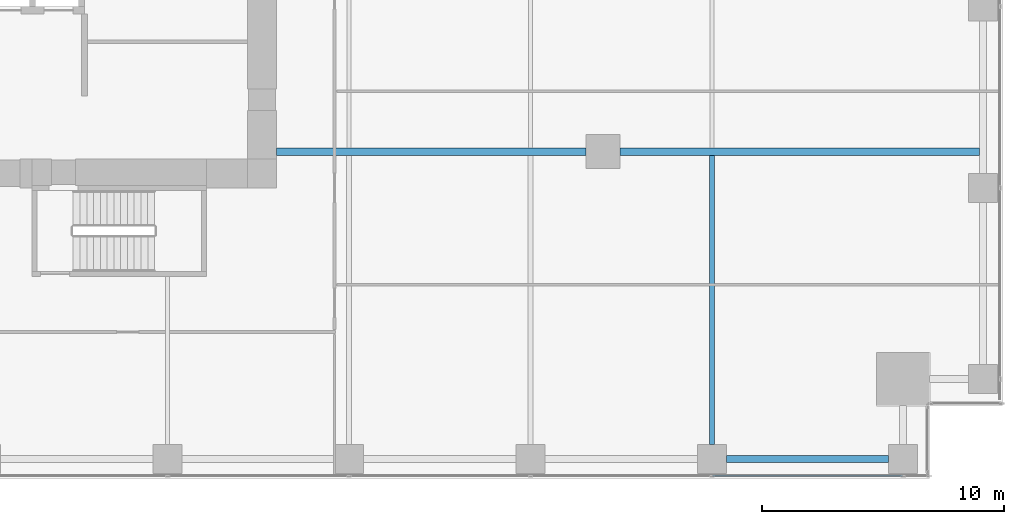
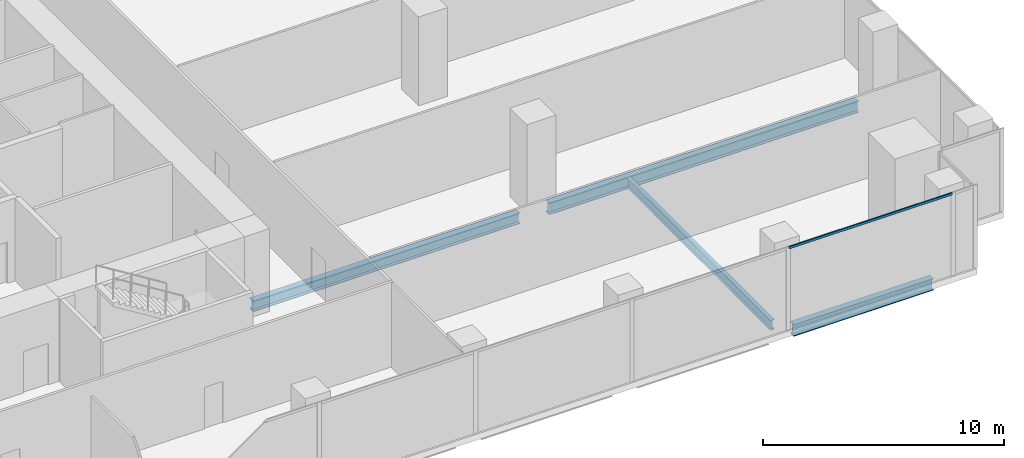
# One storey, part 8 of 33: 4 beams, 1 member, 1 element without a shape of its own.
"""IFC4 building model written with IfcOpenShell, lengths in metres."""

from ifc_helpers import new_model, si_unit, direction, frame, origin, origin_2d, place, context, subcontext, project, spatial, hollow_rectangle, i_section, extrude, source, transform, mapped, material, material_profile, profile_set, type_object, element, aggregate, save


model = new_model("IFC4")

# Units and contexts
model_context = context("Model", 3, precision=1e-05, world=origin(), true_north=direction((0.0, 1.0)))
body_context = subcontext(model_context, "Body", "Model", "MODEL_VIEW")
ifc_project = project(units=[si_unit("LENGTHUNIT", "METRE"), si_unit("AREAUNIT", "SQUARE_METRE"), si_unit("VOLUMEUNIT", "CUBIC_METRE"), si_unit("PLANEANGLEUNIT", "RADIAN"), si_unit("MASSUNIT", "GRAM", prefix="KILO")], contexts=[model_context])

# Site, building, storey
site_placement = place(None, origin())
site = spatial("IfcSite", under=ifc_project, at=site_placement, CompositionType="ELEMENT")
building_placement = place(site_placement, origin())
building = spatial("IfcBuilding", under=site, at=building_placement, Name="Khomas Fold Tower", CompositionType="ELEMENT")
storey_placement = place(building_placement, frame((0.0, 0.0, 91.5)))
storey = spatial("IfcBuildingStorey", under=building, at=storey_placement, Name="L19", CompositionType="ELEMENT", Elevation=91.5)

# Beams
ifc_material_1 = material(Name="Steel S355", Category="steel")
ifc_material_profile_1 = material_profile(ifc_material_1, i_section(OverallWidth=0.300048828125, OverallDepth=0.550048828125, WebThickness=0.014892578125, FlangeThickness=0.029052734375, at=origin_2d()), Name="HE 550 B")
ifc_profile_set_1 = profile_set([ifc_material_profile_1], Name="Steel S355")
beam_type_1 = type_object("IfcBeamType", Name="HE 550 B beam GB4", PredefinedType="BEAM", material=ifc_profile_set_1)
shared_shape_1 = source(origin(), body_context, "Body", "SweptSolid", [
    extrude(i_section(OverallWidth=0.300048828125, OverallDepth=0.550048828125, WebThickness=0.014892578125, FlangeThickness=0.029052734375, at=origin_2d()), origin(), (0.0, 0.0, 1.0), 12.800048828125),
])
beam_1_placement = place(storey_placement, frame((24.0, 13.5, -0.574951171875), z_axis=(1.0, 0.0, 0.0), x_axis=(0.0, 1.0, 0.0)))
element("IfcBeam", 1, at=beam_1_placement, inside=storey, type_object=beam_type_1, Name="GB4", PredefinedType="BEAM", context=body_context, shape_type="MappedRepresentation", body=[
    mapped(shared_shape_1, transform((0.0, 0.0, 0.0))),
])
ifc_material_2 = material(Name="Steel S355", Category="steel")
ifc_material_profile_2 = material_profile(ifc_material_2, i_section(OverallWidth=0.300048828125, OverallDepth=0.60009765625, WebThickness=0.015380859375, FlangeThickness=0.030029296875, at=origin_2d()), Name="HE 600 B")
ifc_profile_set_2 = profile_set([ifc_material_profile_2], Name="Steel S355")
beam_type_2 = type_object("IfcBeamType", Name="HE 600 B spandrel SB1", PredefinedType="SPANDREL", material=ifc_profile_set_2)
shared_shape_2 = source(origin(), body_context, "Body", "SweptSolid", [
    extrude(i_section(OverallWidth=0.300048828125, OverallDepth=0.60009765625, WebThickness=0.015380859375, FlangeThickness=0.030029296875, at=origin_2d()), origin(), (0.0, 0.0, 1.0), 6.699951171875),
])
beam_2_placement = place(storey_placement, frame((42.60009765625, 0.800048828125, -0.60009765625), z_axis=(1.0, 0.0, 0.0), x_axis=(0.0, 1.0, 0.0)))
element("IfcBeam", 2, at=beam_2_placement, inside=storey, type_object=beam_type_2, Name="SB1", PredefinedType="SPANDREL", context=body_context, shape_type="MappedRepresentation", body=[
    mapped(shared_shape_2, transform((0.0, 0.0, 0.0))),
])
ifc_material_3 = material(Name="Steel S355", Category="steel")
ifc_material_profile_3 = material_profile(ifc_material_3, i_section(OverallWidth=0.300048828125, OverallDepth=0.60009765625, WebThickness=0.015380859375, FlangeThickness=0.030029296875, at=origin_2d()), Name="HE 600 B")
ifc_profile_set_3 = profile_set([ifc_material_profile_3], Name="Steel S355")
beam_type_3 = type_object("IfcBeamType", Name="HE 600 B beam GB5", PredefinedType="BEAM", material=ifc_profile_set_3)
shared_shape_3 = source(origin(), body_context, "Body", "SweptSolid", [
    extrude(i_section(OverallWidth=0.300048828125, OverallDepth=0.60009765625, WebThickness=0.015380859375, FlangeThickness=0.030029296875, at=origin_2d()), origin(), (0.0, 0.0, 1.0), 14.85009765625),
])
beam_3_placement = place(storey_placement, frame((38.199951171875, 13.5, -0.60009765625), z_axis=(1.0, 0.0, 0.0), x_axis=(0.0, 1.0, 0.0)))
element("IfcBeam", 3, at=beam_3_placement, inside=storey, type_object=beam_type_3, Name="GB5", PredefinedType="BEAM", context=body_context, shape_type="MappedRepresentation", body=[
    mapped(shared_shape_3, transform((0.0, 0.0, 0.0))),
])
ifc_material_4 = material(Name="Steel S355", Category="steel")
ifc_material_profile_4 = material_profile(ifc_material_4, i_section(OverallWidth=0.199951171875, OverallDepth=0.5, WebThickness=0.01025390625, FlangeThickness=0.01611328125, at=origin_2d()), Name="IPE 500")
ifc_profile_set_4 = profile_set([ifc_material_profile_4], Name="Steel S355")
beam_type_4 = type_object("IfcBeamType", Name="IPE 500 beam JB5", PredefinedType="BEAM", material=ifc_profile_set_4)
shared_shape_4 = source(origin(), body_context, "Body", "SweptSolid", [
    extrude(i_section(OverallWidth=0.199951171875, OverallDepth=0.5, WebThickness=0.01025390625, FlangeThickness=0.01611328125, at=origin_2d()), origin(), (0.0, 0.0, 1.0), 11.9501953125),
])
beam_4_placement = place(storey_placement, frame((42.0, 1.39990234375, -0.550048828125), z_axis=(0.0, 1.0, 0.0), x_axis=(-1.0, 0.0, 0.0)))
element("IfcBeam", 4, at=beam_4_placement, inside=storey, type_object=beam_type_4, Name="JB5", PredefinedType="BEAM", context=body_context, shape_type="MappedRepresentation", body=[
    mapped(shared_shape_4, transform((0.0, 0.0, 0.0))),
])

# Curtain wall, member
ifc_material_5 = material(Name="Aluminium framed double glazing", Category="aluminium")
curtain_wall_type = type_object("IfcCurtainWallType", Name="SK-Unitised clear-glass wall, growing floors CW1", PredefinedType="NOTDEFINED", material=ifc_material_5)
curtain_wall_placement = place(storey_placement, origin())
curtain_wall = element("IfcCurtainWall", 5, at=curtain_wall_placement, inside=storey, type_object=curtain_wall_type, Name="CW1 run L19 00-0", PredefinedType="NOTDEFINED")
ifc_material_6 = material(Name="Aluminium", Category="aluminium")
ifc_material_profile_5 = material_profile(ifc_material_6, hollow_rectangle(XDim=0.06005859375, YDim=0.1201171875, WallThickness=0.00390625, at=origin_2d()), Name="SK-Unitised clear-glass wall, growing floors transom CW1-T")
ifc_profile_set_5 = profile_set([ifc_material_profile_5], Name="Aluminium")
member_type = type_object("IfcMemberType", Name="SK-Unitised clear-glass wall, growing floors transom CW1-T", PredefinedType="USERDEFINED", material=ifc_profile_set_5)
shared_shape_5 = source(origin(), body_context, "Body", "SweptSolid", [
    extrude(hollow_rectangle(XDim=0.06005859375, YDim=0.1201171875, WallThickness=0.00390625, at=origin_2d()), origin(), (0.0, 0.0, 1.0), 7.840087890625),
])
member_placement = place(storey_placement, frame((42.030029296875, 0.10009765625, 4.139892578125), z_axis=(1.0, 0.0, 0.0), x_axis=(0.0, 1.0, 0.0)))
member = element("IfcMember", 6, at=member_placement, type_object=member_type, Name="CW1 transom 7", ObjectType="TRANSOM", PredefinedType="USERDEFINED", context=body_context, shape_type="MappedRepresentation", body=[
    mapped(shared_shape_5, transform((0.0, 0.0, 0.0))),
])
aggregate(curtain_wall, [member])

save(model, "model.ifc")
